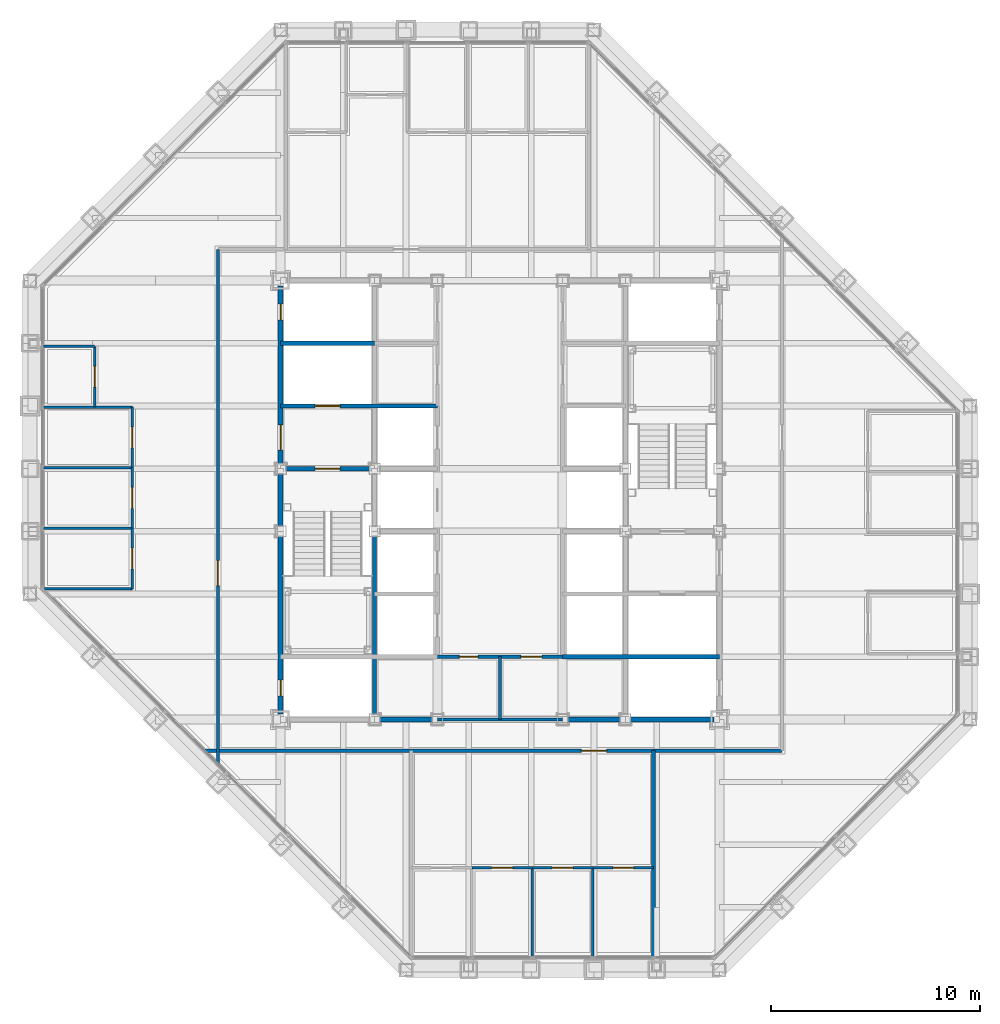
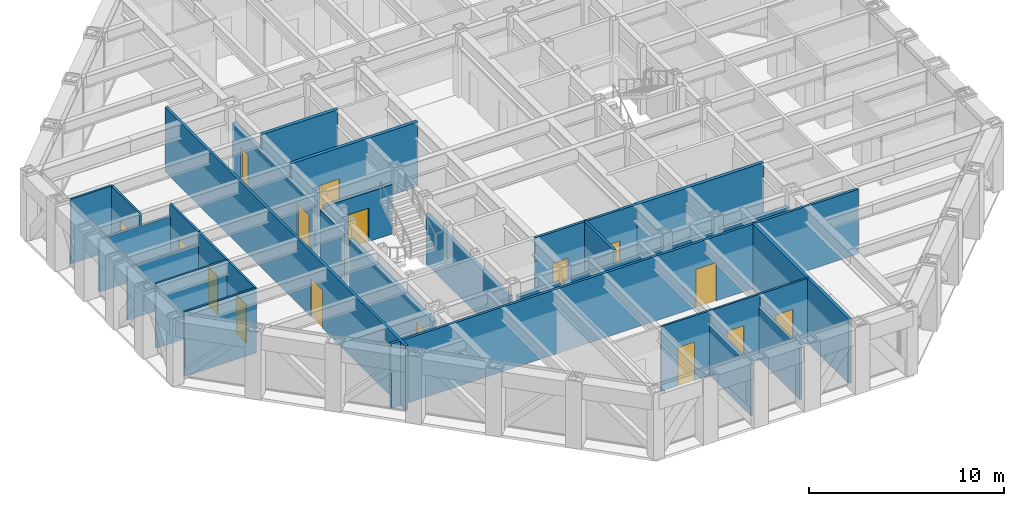
# One storey, part 11 of 16: 31 walls, 16 doors, 16 openings.
"""IFC4 building model written with IfcOpenShell, lengths in metres."""

from ifc_helpers import new_model, si_unit, direction, frame, frame_2d, origin, place, context, subcontext, project, spatial, rectangle, extrude, material, layer, layer_set, type_object, element, fill, save


model = new_model("IFC4")

# Units and contexts
model_context = context("Model", 3, precision=1e-05, world=origin(), true_north=direction((0.0, 1.0)))
body_context = subcontext(model_context, "Body", "Model", "MODEL_VIEW")
ifc_project = project(units=[si_unit("LENGTHUNIT", "METRE"), si_unit("AREAUNIT", "SQUARE_METRE"), si_unit("VOLUMEUNIT", "CUBIC_METRE"), si_unit("PLANEANGLEUNIT", "RADIAN"), si_unit("MASSUNIT", "GRAM", prefix="KILO")], contexts=[model_context])

# Site, building, storey
site_placement = place(None, origin())
site = spatial("IfcSite", under=ifc_project, at=site_placement, CompositionType="ELEMENT")
building_placement = place(site_placement, origin())
building = spatial("IfcBuilding", under=site, at=building_placement, Name="Chuquiago Exchange Tower", CompositionType="ELEMENT")
storey_placement = place(building_placement, frame((0.0, 0.0, 247.5)))
storey = spatial("IfcBuildingStorey", under=building, at=storey_placement, Name="L55", CompositionType="ELEMENT", Elevation=247.5)

# Wall, opening, door
ifc_material_1 = material(Name="Concrete masonry, fully grouted", Category="masonry")
ifc_layer_1 = layer(ifc_material_1, 0.25)
ifc_layer_set_1 = layer_set([ifc_layer_1], Name="W1 core wall 250")
wall_type_1 = type_object("IfcWallType", Name="W1 core wall 250", PredefinedType="SOLIDWALL", material=ifc_layer_set_1)
wall_1_placement = place(storey_placement, frame((12.0, 12.25, 0.0), z_axis=(0.0, 0.0, 1.0), x_axis=(0.0, 1.0, 0.0)))
wall_1 = element("IfcWall", 1, at=wall_1_placement, inside=storey, type_object=wall_type_1, Name="CW-L55-00-0", PredefinedType="SOLIDWALL", context=body_context, shape_type="SweptSolid", body=[
    extrude(rectangle(XDim=8.5, YDim=0.25, at=frame_2d((4.25, 0.0))), origin(), (0.0, 0.0, 1.0), 3.11279296875),
])
opening_1_placement = place(wall_1_placement, frame((0.875, 0.0, 0.0)))
opening_1 = element("IfcOpeningElement", 2, at=opening_1_placement, cuts=wall_1, Name="Opening L55-007", PredefinedType="OPENING", context=body_context, shape_type="SweptSolid", body=[
    extrude(rectangle(XDim=0.75, YDim=2.10009765625, at=frame_2d((0.375, 1.050048828125))), frame((0.0, 0.135009765625, 0.0), z_axis=(0.0, -1.0, 0.0), x_axis=(1.0, 0.0, 0.0)), (0.0, 0.0, 1.0), 0.27001953125),
])
ifc_material_2 = material(Name="Steel door, painted", Category="steel")
door_type_1 = type_object("IfcDoorType", Name="D6 riser access door 750x2100", OperationType="SINGLE_SWING_LEFT", PredefinedType="DOOR", material=ifc_material_2)
door_1_placement = place(opening_1_placement, origin())
door_1 = element("IfcDoor", 3, at=door_1_placement, inside=storey, type_object=door_type_1, Name="Riser RW1 door", OperationType="SINGLE_SWING_LEFT", OverallHeight=2.10009765625, OverallWidth=0.75, PredefinedType="DOOR", context=body_context, shape_type="SweptSolid", body=[
    extrude(rectangle(XDim=0.75, YDim=2.10009765625, at=frame_2d((0.375, 1.050048828125))), frame((0.0, 0.02490234375, 0.0), z_axis=(0.0, -1.0, 0.0), x_axis=(1.0, 0.0, 0.0)), (0.0, 0.0, 1.0), 0.050048828125),
])
fill(opening_1, door_1)

# Wall
wall_2_placement = place(storey_placement, frame((12.0, 21.25, 0.0), z_axis=(0.0, 0.0, 1.0), x_axis=(0.0, 1.0, 0.0)))
element("IfcWall", 4, at=wall_2_placement, inside=storey, type_object=wall_type_1, Name="CW-L55-00-1", PredefinedType="SOLIDWALL", context=body_context, shape_type="SweptSolid", body=[
    extrude(rectangle(XDim=2.5, YDim=0.25, at=frame_2d((1.25, 0.0))), origin(), (0.0, 0.0, 1.0), 3.11279296875),
])

# Wall, openings, doors
wall_3_placement = place(storey_placement, frame((12.0, 24.25, 0.0), z_axis=(0.0, 0.0, 1.0), x_axis=(0.0, 1.0, 0.0)))
wall_3 = element("IfcWall", 5, at=wall_3_placement, inside=storey, type_object=wall_type_1, Name="CW-L55-00-2", PredefinedType="SOLIDWALL", context=body_context, shape_type="SweptSolid", body=[
    extrude(rectangle(XDim=8.5, YDim=0.25, at=frame_2d((4.25, 0.0))), origin(), (0.0, 0.0, 1.0), 3.11279296875),
])
opening_2_placement = place(wall_3_placement, frame((0.64990234375, 0.0, 0.0)))
opening_2 = element("IfcOpeningElement", 6, at=opening_2_placement, cuts=wall_3, Name="Opening L55-002", PredefinedType="OPENING", context=body_context, shape_type="SweptSolid", body=[
    extrude(rectangle(XDim=1.199951171875, YDim=2.10009765625, at=frame_2d((0.60009765625, 1.050048828125))), frame((0.0, 0.135009765625, 0.0), z_axis=(0.0, -1.0, 0.0), x_axis=(1.0, 0.0, 0.0)), (0.0, 0.0, 1.0), 0.27001953125),
])
opening_3_placement = place(wall_3_placement, frame((6.875, 0.0, 0.0)))
opening_3 = element("IfcOpeningElement", 7, at=opening_3_placement, cuts=wall_3, Name="Opening L55-008", PredefinedType="OPENING", context=body_context, shape_type="SweptSolid", body=[
    extrude(rectangle(XDim=0.75, YDim=2.10009765625, at=frame_2d((0.375, 1.050048828125))), frame((0.0, 0.135009765625, 0.0), z_axis=(0.0, -1.0, 0.0), x_axis=(1.0, 0.0, 0.0)), (0.0, 0.0, 1.0), 0.27001953125),
])
ifc_material_3 = material(Name="Steel door, painted", Category="steel")
door_type_2 = type_object("IfcDoorType", Name="D5 firefighting lobby door 1200x2100", OperationType="SINGLE_SWING_LEFT", PredefinedType="DOOR", material=ifc_material_3)
door_2_placement = place(opening_2_placement, frame((1.199951171875, 0.0, 0.0), z_axis=(0.0, 0.0, 1.0), x_axis=(-1.0, 0.0, 0.0)))
door_2 = element("IfcDoor", 8, at=door_2_placement, inside=storey, type_object=door_type_2, Name="Firefighting lobby 1 door", OperationType="SINGLE_SWING_RIGHT", OverallHeight=2.10009765625, OverallWidth=1.199951171875, PredefinedType="DOOR", context=body_context, shape_type="SweptSolid", body=[
    extrude(rectangle(XDim=1.199951171875, YDim=2.10009765625, at=frame_2d((0.60009765625, 1.050048828125))), frame((0.0, 0.02490234375, 0.0), z_axis=(0.0, -1.0, 0.0), x_axis=(1.0, 0.0, 0.0)), (0.0, 0.0, 1.0), 0.050048828125),
])
fill(opening_2, door_2)
door_3_placement = place(opening_3_placement, origin())
door_3 = element("IfcDoor", 9, at=door_3_placement, inside=storey, type_object=door_type_1, Name="Riser RW2 door", OperationType="SINGLE_SWING_RIGHT", OverallHeight=2.10009765625, OverallWidth=0.75, PredefinedType="DOOR", context=body_context, shape_type="SweptSolid", body=[
    extrude(rectangle(XDim=0.75, YDim=2.10009765625, at=frame_2d((0.375, 1.050048828125))), frame((0.0, 0.02490234375, 0.0), z_axis=(0.0, -1.0, 0.0), x_axis=(1.0, 0.0, 0.0)), (0.0, 0.0, 1.0), 0.050048828125),
])
fill(opening_3, door_3)

# Walls
for number, where, z_axis, x_axis, name in (
    (10, (16.75, 12.0, 0.0), (0.0, 0.0, 1.0), (1.0, 0.0, 0.0), "CW-L55-01-1"),
    (11, (25.75, 12.0, 0.0), (0.0, 0.0, 1.0), (1.0, 0.0, 0.0), "CW-L55-02-0"),
):
    element("IfcWall", number, at=place(storey_placement, frame(where, z_axis=z_axis, x_axis=x_axis)), inside=storey, type_object=wall_type_1, Name=name, PredefinedType="SOLIDWALL", context=body_context, shape_type="SweptSolid", body=[
        extrude(rectangle(XDim=2.5, YDim=0.25, at=frame_2d((1.25, 0.0))), origin(), (0.0, 0.0, 1.0), 3.181396484375),
    ])
wall_4_placement = place(storey_placement, frame((28.75, 12.0, 0.0), z_axis=(0.0, 0.0, 1.0), x_axis=(1.0, 0.0, 0.0)))
element("IfcWall", 12, at=wall_4_placement, inside=storey, type_object=wall_type_1, Name="CW-L55-02-1", PredefinedType="SOLIDWALL", context=body_context, shape_type="SweptSolid", body=[
    extrude(rectangle(XDim=4.0, YDim=0.25, at=frame_2d((2.0, 0.0))), origin(), (0.0, 0.0, 1.0), 3.181396484375),
])

# Wall, opening, door
ifc_material_4 = material(Name="Gypsum board on steel studs, acoustic insulation", Category="steel")
ifc_layer_2 = layer(ifc_material_4, 0.14990234375)
ifc_layer_set_2 = layer_set([ifc_layer_2], Name="W11 corridor wall 150")
wall_type_2 = type_object("IfcWallType", Name="W11 corridor wall 150", PredefinedType="PARTITIONING", material=ifc_layer_set_2)
wall_5_placement = place(storey_placement, frame((8.385498046875, 10.5, 0.0), z_axis=(0.0, 0.0, 1.0), x_axis=(1.0, 0.0, 0.0)))
wall_5 = element("IfcWall", 13, at=wall_5_placement, inside=storey, type_object=wall_type_2, Name="PW-L55-CS", PredefinedType="PARTITIONING", context=body_context, shape_type="SweptSolid", body=[
    extrude(rectangle(XDim=27.614501953125, YDim=0.14990234375, at=frame_2d((13.80712890625, 0.0))), origin(), (0.0, 0.0, 1.0), 4.0400390625),
])
opening_4_placement = place(wall_5_placement, frame((18.014404296875, 0.0, 0.0)))
opening_4 = element("IfcOpeningElement", 14, at=opening_4_placement, cuts=wall_5, Name="Opening L55-037", PredefinedType="OPENING", context=body_context, shape_type="SweptSolid", body=[
    extrude(rectangle(XDim=1.199951171875, YDim=2.39990234375, at=frame_2d((0.60009765625, 1.199951171875))), frame((0.0, 0.0849609375, 0.0), z_axis=(0.0, -1.0, 0.0), x_axis=(1.0, 0.0, 0.0)), (0.0, 0.0, 1.0), 0.169921875),
])
ifc_material_5 = material(Name="Timber door, laminate faced", Category="wood")
door_type_3 = type_object("IfcDoorType", Name="D13 suite entrance door 1200x2400", OperationType="SINGLE_SWING_LEFT", PredefinedType="DOOR", material=ifc_material_5)
door_4_placement = place(opening_4_placement, frame((1.199951171875, 0.0, 0.0), z_axis=(0.0, 0.0, 1.0), x_axis=(-1.0, 0.0, 0.0)))
door_4 = element("IfcDoor", 15, at=door_4_placement, inside=storey, type_object=door_type_3, Name="South suite entrance door", OperationType="SINGLE_SWING_LEFT", OverallHeight=2.39990234375, OverallWidth=1.199951171875, PredefinedType="DOOR", context=body_context, shape_type="SweptSolid", body=[
    extrude(rectangle(XDim=1.199951171875, YDim=2.39990234375, at=frame_2d((0.60009765625, 1.199951171875))), frame((0.0, 0.02490234375, 0.0), z_axis=(0.0, -1.0, 0.0), x_axis=(1.0, 0.0, 0.0)), (0.0, 0.0, 1.0), 0.050048828125),
])
fill(opening_4, door_4)

wall_6_placement = place(storey_placement, frame((9.0, 9.885498046875, 0.0), z_axis=(0.0, 0.0, 1.0), x_axis=(0.0, 1.0, 0.0)))
wall_6 = element("IfcWall", 16, at=wall_6_placement, inside=storey, type_object=wall_type_2, Name="PW-L55-CW", PredefinedType="PARTITIONING", context=body_context, shape_type="SweptSolid", body=[
    extrude(rectangle(XDim=24.614501953125, YDim=0.14990234375, at=frame_2d((12.30712890625, 0.0))), origin(), (0.0, 0.0, 1.0), 4.0400390625),
])
opening_5_placement = place(wall_6_placement, frame((8.514404296875, 0.0, 0.0)))
opening_5 = element("IfcOpeningElement", 17, at=opening_5_placement, cuts=wall_6, Name="Opening L55-039", PredefinedType="OPENING", context=body_context, shape_type="SweptSolid", body=[
    extrude(rectangle(XDim=1.199951171875, YDim=2.39990234375, at=frame_2d((0.60009765625, 1.199951171875))), frame((0.0, 0.0849609375, 0.0), z_axis=(0.0, -1.0, 0.0), x_axis=(1.0, 0.0, 0.0)), (0.0, 0.0, 1.0), 0.169921875),
])
door_5_placement = place(opening_5_placement, origin())
door_5 = element("IfcDoor", 18, at=door_5_placement, inside=storey, type_object=door_type_3, Name="West suite entrance door", OperationType="SINGLE_SWING_LEFT", OverallHeight=2.39990234375, OverallWidth=1.199951171875, PredefinedType="DOOR", context=body_context, shape_type="SweptSolid", body=[
    extrude(rectangle(XDim=1.199951171875, YDim=2.39990234375, at=frame_2d((0.60009765625, 1.199951171875))), frame((0.0, 0.02490234375, 0.0), z_axis=(0.0, -1.0, 0.0), x_axis=(1.0, 0.0, 0.0)), (0.0, 0.0, 1.0), 0.050048828125),
])
fill(opening_5, door_5)

# Walls
ifc_material_6 = material(Name="Gypsum board on twin steel studs, acoustic insulation", Category="steel")
ifc_layer_3 = layer(ifc_material_6, 0.175048828125)
ifc_layer_set_3 = layer_set([ifc_layer_3], Name="W12 tenant demising wall 175")
wall_type_3 = type_object("IfcWallType", Name="W12 tenant demising wall 175", PredefinedType="PARTITIONING", material=ifc_layer_set_3)
wall_7_placement = place(storey_placement, frame((29.850830078125, 0.652587890625, 0.0), z_axis=(0.0, 0.0, 1.0), x_axis=(0.0, 1.0, 0.0)))
element("IfcWall", 19, at=wall_7_placement, inside=storey, type_object=wall_type_3, Name="PW-L55-DS02985", PredefinedType="PARTITIONING", context=body_context, shape_type="SweptSolid", body=[
    extrude(rectangle(XDim=9.847412109375, YDim=0.175048828125, at=frame_2d((4.923828125, 0.0))), origin(), (0.0, 0.0, 1.0), 4.0400390625),
])
ifc_material_7 = material(Name="Concrete masonry, fully grouted", Category="masonry")
ifc_layer_4 = layer(ifc_material_7, 0.199951171875)
ifc_layer_set_4 = layer_set([ifc_layer_4], Name="W2 shaft wall 200")
wall_type_4 = type_object("IfcWallType", Name="W2 shaft wall 200", PredefinedType="SOLIDWALL", material=ifc_layer_set_4)
wall_8_placement = place(storey_placement, frame((25.5, 15.0, 0.0), z_axis=(0.0, 0.0, 1.0), x_axis=(1.0, 0.0, 0.0)))
element("IfcWall", 20, at=wall_8_placement, inside=storey, type_object=wall_type_4, Name="CW-L55-04-0", PredefinedType="SOLIDWALL", context=body_context, shape_type="SweptSolid", body=[
    extrude(rectangle(XDim=7.5, YDim=0.199951171875, at=frame_2d((3.75, 0.0))), origin(), (0.0, 0.0, 1.0), 4.0400390625),
])

# Wall, opening, door
wall_9_placement = place(storey_placement, frame((12.25, 24.0, 0.0), z_axis=(0.0, 0.0, 1.0), x_axis=(1.0, 0.0, 0.0)))
wall_9 = element("IfcWall", 21, at=wall_9_placement, inside=storey, type_object=wall_type_4, Name="CW-L55-05-0", PredefinedType="SOLIDWALL", context=body_context, shape_type="SweptSolid", body=[
    extrude(rectangle(XDim=4.0, YDim=0.199951171875, at=frame_2d((2.0, 0.0))), origin(), (0.0, 0.0, 1.0), 3.090087890625),
])
opening_6_placement = place(wall_9_placement, frame((1.39990234375, 0.0, 0.0)))
opening_6 = element("IfcOpeningElement", 22, at=opening_6_placement, cuts=wall_9, Name="Opening L55-001", PredefinedType="OPENING", context=body_context, shape_type="SweptSolid", body=[
    extrude(rectangle(XDim=1.199951171875, YDim=2.10009765625, at=frame_2d((0.60009765625, 1.050048828125))), frame((0.0, 0.10986328125, 0.0), z_axis=(0.0, -1.0, 0.0), x_axis=(1.0, 0.0, 0.0)), (0.0, 0.0, 1.0), 0.219970703125),
])
ifc_material_8 = material(Name="Steel door, painted", Category="steel")
door_type_4 = type_object("IfcDoorType", Name="D4 stair door 1200x2100", OperationType="SINGLE_SWING_LEFT", PredefinedType="DOOR", material=ifc_material_8)
door_6_placement = place(opening_6_placement, frame((1.199951171875, 0.0, 0.0), z_axis=(0.0, 0.0, 1.0), x_axis=(-1.0, 0.0, 0.0)))
door_6 = element("IfcDoor", 23, at=door_6_placement, inside=storey, type_object=door_type_4, Name="Stair ST1 door", OperationType="SINGLE_SWING_RIGHT", OverallHeight=2.10009765625, OverallWidth=1.199951171875, PredefinedType="DOOR", context=body_context, shape_type="SweptSolid", body=[
    extrude(rectangle(XDim=1.199951171875, YDim=2.10009765625, at=frame_2d((0.60009765625, 1.050048828125))), frame((0.0, 0.02490234375, 0.0), z_axis=(0.0, -1.0, 0.0), x_axis=(1.0, 0.0, 0.0)), (0.0, 0.0, 1.0), 0.050048828125),
])
fill(opening_6, door_6)

wall_10_placement = place(storey_placement, frame((12.0, 27.0, 0.0), z_axis=(0.0, 0.0, 1.0), x_axis=(1.0, 0.0, 0.0)))
wall_10 = element("IfcWall", 24, at=wall_10_placement, inside=storey, type_object=wall_type_4, Name="CW-L55-07-0", PredefinedType="SOLIDWALL", context=body_context, shape_type="SweptSolid", body=[
    extrude(rectangle(XDim=7.5, YDim=0.199951171875, at=frame_2d((3.75, 0.0))), origin(), (0.0, 0.0, 1.0), 4.0400390625),
])
opening_7_placement = place(wall_10_placement, frame((1.64990234375, 0.0, 0.0)))
opening_7 = element("IfcOpeningElement", 25, at=opening_7_placement, cuts=wall_10, Name="Opening L55-005", PredefinedType="OPENING", context=body_context, shape_type="SweptSolid", body=[
    extrude(rectangle(XDim=1.199951171875, YDim=2.10009765625, at=frame_2d((0.60009765625, 1.050048828125))), frame((0.0, 0.10986328125, 0.0), z_axis=(0.0, -1.0, 0.0), x_axis=(1.0, 0.0, 0.0)), (0.0, 0.0, 1.0), 0.219970703125),
])
ifc_material_9 = material(Name="Stainless steel lift landing door", Category="steel")
door_type_5 = type_object("IfcDoorType", Name="LD2 firefighting lift landing door 1200x2100", OperationType="DOUBLE_DOOR_SLIDING", PredefinedType="DOOR", material=ifc_material_9)
door_7_placement = place(opening_7_placement, origin())
door_7 = element("IfcDoor", 26, at=door_7_placement, inside=storey, type_object=door_type_5, Name="Firefighting lift FL1 landing door", OperationType="DOUBLE_DOOR_SLIDING", OverallHeight=2.10009765625, OverallWidth=1.199951171875, PredefinedType="DOOR", context=body_context, shape_type="SweptSolid", body=[
    extrude(rectangle(XDim=1.199951171875, YDim=2.10009765625, at=frame_2d((0.60009765625, 1.050048828125))), frame((0.0, 0.02490234375, 0.0), z_axis=(0.0, -1.0, 0.0), x_axis=(1.0, 0.0, 0.0)), (0.0, 0.0, 1.0), 0.050048828125),
])
fill(opening_7, door_7)

# Walls
wall_11_placement = place(storey_placement, frame((12.0, 30.0, 0.0), z_axis=(0.0, 0.0, 1.0), x_axis=(1.0, 0.0, 0.0)))
element("IfcWall", 27, at=wall_11_placement, inside=storey, type_object=wall_type_4, Name="CW-L55-09-0", PredefinedType="SOLIDWALL", context=body_context, shape_type="SweptSolid", body=[
    extrude(rectangle(XDim=4.5, YDim=0.199951171875, at=frame_2d((2.25, 0.0))), origin(), (0.0, 0.0, 1.0), 4.0400390625),
])
wall_12_placement = place(storey_placement, frame((16.5, 12.25, 0.0), z_axis=(0.0, 0.0, 1.0), x_axis=(0.0, 1.0, 0.0)))
element("IfcWall", 28, at=wall_12_placement, inside=storey, type_object=wall_type_4, Name="CW-L55-13-0", PredefinedType="SOLIDWALL", context=body_context, shape_type="SweptSolid", body=[
    extrude(rectangle(XDim=8.5, YDim=0.199951171875, at=frame_2d((4.25, 0.0))), origin(), (0.0, 0.0, 1.0), 3.11279296875),
])

# Wall, openings, doors
ifc_material_10 = material(Name="Gypsum board on steel studs", Category="steel")
ifc_layer_5 = layer(ifc_material_10, 0.14990234375)
ifc_layer_set_5 = layer_set([ifc_layer_5], Name="W3 core partition 150")
wall_type_5 = type_object("IfcWallType", Name="W3 core partition 150", PredefinedType="PARTITIONING", material=ifc_layer_set_5)
wall_13_placement = place(storey_placement, frame((19.5, 15.0, 0.0), z_axis=(0.0, 0.0, 1.0), x_axis=(1.0, 0.0, 0.0)))
wall_13 = element("IfcWall", 29, at=wall_13_placement, inside=storey, type_object=wall_type_5, Name="CW-L55-TF", PredefinedType="PARTITIONING", context=body_context, shape_type="SweptSolid", body=[
    extrude(rectangle(XDim=6.0, YDim=0.14990234375, at=frame_2d((3.0, 0.0))), origin(), (0.0, 0.0, 1.0), 4.0400390625),
])
opening_8_placement = place(wall_13_placement, frame((4.0, 0.0, 0.0)))
opening_8 = element("IfcOpeningElement", 30, at=opening_8_placement, cuts=wall_13, Name="Opening L55-015", PredefinedType="OPENING", context=body_context, shape_type="SweptSolid", body=[
    extrude(rectangle(XDim=1.0, YDim=2.10009765625, at=frame_2d((0.5, 1.050048828125))), frame((0.0, 0.0849609375, 0.0), z_axis=(0.0, -1.0, 0.0), x_axis=(1.0, 0.0, 0.0)), (0.0, 0.0, 1.0), 0.169921875),
])
opening_9_placement = place(wall_13_placement, frame((1.050048828125, 0.0, 0.0)))
opening_9 = element("IfcOpeningElement", 31, at=opening_9_placement, cuts=wall_13, Name="Opening L55-016", PredefinedType="OPENING", context=body_context, shape_type="SweptSolid", body=[
    extrude(rectangle(XDim=0.89990234375, YDim=2.10009765625, at=frame_2d((0.449951171875, 1.050048828125))), frame((0.0, 0.0849609375, 0.0), z_axis=(0.0, -1.0, 0.0), x_axis=(1.0, 0.0, 0.0)), (0.0, 0.0, 1.0), 0.169921875),
])
ifc_material_11 = material(Name="Timber door, laminate faced", Category="wood")
door_type_6 = type_object("IfcDoorType", Name="D7 toilet door 900x2100", OperationType="SINGLE_SWING_LEFT", PredefinedType="DOOR", material=ifc_material_11)
door_8_placement = place(opening_9_placement, origin())
door_8 = element("IfcDoor", 32, at=door_8_placement, inside=storey, type_object=door_type_6, Name="Cleaner door", OperationType="SINGLE_SWING_LEFT", OverallHeight=2.10009765625, OverallWidth=0.89990234375, PredefinedType="DOOR", context=body_context, shape_type="SweptSolid", body=[
    extrude(rectangle(XDim=0.89990234375, YDim=2.10009765625, at=frame_2d((0.449951171875, 1.050048828125))), frame((0.0, 0.02490234375, 0.0), z_axis=(0.0, -1.0, 0.0), x_axis=(1.0, 0.0, 0.0)), (0.0, 0.0, 1.0), 0.050048828125),
])
fill(opening_9, door_8)
ifc_material_12 = material(Name="Timber door, laminate faced", Category="wood")
door_type_7 = type_object("IfcDoorType", Name="D8 accessible toilet door 1000x2100", OperationType="SLIDING_TO_LEFT", PredefinedType="DOOR", material=ifc_material_12)
door_9_placement = place(opening_8_placement, origin())
door_9 = element("IfcDoor", 33, at=door_9_placement, inside=storey, type_object=door_type_7, Name="Accessible WC door", OperationType="SLIDING_TO_LEFT", OverallHeight=2.10009765625, OverallWidth=1.0, PredefinedType="DOOR", context=body_context, shape_type="SweptSolid", body=[
    extrude(rectangle(XDim=1.0, YDim=2.10009765625, at=frame_2d((0.5, 1.050048828125))), frame((0.0, 0.02490234375, 0.0), z_axis=(0.0, -1.0, 0.0), x_axis=(1.0, 0.0, 0.0)), (0.0, 0.0, 1.0), 0.050048828125),
])
fill(opening_8, door_9)

# Walls
wall_14_placement = place(storey_placement, frame((22.5, 15.0, 0.0), z_axis=(0.0, 0.0, 1.0), x_axis=(0.0, -1.0, 0.0)))
element("IfcWall", 34, at=wall_14_placement, inside=storey, type_object=wall_type_5, Name="CW-L55-TM", PredefinedType="PARTITIONING", context=body_context, shape_type="SweptSolid", body=[
    extrude(rectangle(XDim=3.0, YDim=0.14990234375, at=frame_2d((1.5, 0.0))), origin(), (0.0, 0.0, 1.0), 4.0400390625),
])
wall_15_placement = place(storey_placement, frame((19.5, 12.0, 0.0), z_axis=(0.0, 0.0, 1.0), x_axis=(1.0, 0.0, 0.0)))
element("IfcWall", 35, at=wall_15_placement, inside=storey, type_object=wall_type_5, Name="CW-L55-TB", PredefinedType="PARTITIONING", context=body_context, shape_type="SweptSolid", body=[
    extrude(rectangle(XDim=6.0, YDim=0.14990234375, at=frame_2d((3.0, 0.0))), origin(), (0.0, 0.0, 1.0), 3.181396484375),
])
ifc_material_13 = material(Name="Gypsum board on steel studs", Category="steel")
ifc_layer_6 = layer(ifc_material_13, 0.1201171875)
ifc_layer_set_6 = layer_set([ifc_layer_6], Name="W4 partition 120")
wall_type_6 = type_object("IfcWallType", Name="W4 partition 120", PredefinedType="PARTITIONING", material=ifc_layer_set_6)
for number, where, z_axis, x_axis, name in (
    (36, (24.0498046875, 0.652587890625, 0.0), (0.0, 0.0, 1.0), (0.0, 1.0, 0.0), "PW-L55-S02405"),
    (37, (26.9501953125, 0.652587890625, 0.0), (0.0, 0.0, 1.0), (0.0, 1.0, 0.0), "PW-L55-S02695"),
):
    element("IfcWall", number, at=place(storey_placement, frame(where, z_axis=z_axis, x_axis=x_axis)), inside=storey, type_object=wall_type_6, Name=name, PredefinedType="PARTITIONING", context=body_context, shape_type="SweptSolid", body=[
        extrude(rectangle(XDim=4.247314453125, YDim=0.1201171875, at=frame_2d((2.12353515625, 0.0))), origin(), (0.0, 0.0, 1.0), 3.278076171875),
    ])

# Wall, opening, door
wall_16_placement = place(storey_placement, frame((21.149169921875, 4.89990234375, 0.0), z_axis=(0.0, 0.0, 1.0), x_axis=(1.0, 0.0, 0.0)))
wall_16 = element("IfcWall", 38, at=wall_16_placement, inside=storey, type_object=wall_type_6, Name="PW-L55-SF02115", PredefinedType="PARTITIONING", context=body_context, shape_type="SweptSolid", body=[
    extrude(rectangle(XDim=2.900634765625, YDim=0.1201171875, at=frame_2d((1.4501953125, 0.0))), origin(), (0.0, 0.0, 1.0), 4.0400390625),
])
opening_10_placement = place(wall_16_placement, frame((0.9501953125, 0.0, 0.0)))
opening_10 = element("IfcOpeningElement", 39, at=opening_10_placement, cuts=wall_16, Name="Opening L55-022", PredefinedType="OPENING", context=body_context, shape_type="SweptSolid", body=[
    extrude(rectangle(XDim=1.0, YDim=2.39990234375, at=frame_2d((0.5, 1.199951171875))), frame((0.0, 0.070068359375, 0.0), z_axis=(0.0, -1.0, 0.0), x_axis=(1.0, 0.0, 0.0)), (0.0, 0.0, 1.0), 0.14013671875),
])
ifc_material_14 = material(Name="Timber door, laminate faced", Category="wood")
door_type_8 = type_object("IfcDoorType", Name="D9 room door 1000x2400", OperationType="SINGLE_SWING_LEFT", PredefinedType="DOOR", material=ifc_material_14)
door_10_placement = place(opening_10_placement, frame((1.0, 0.0, 0.0), z_axis=(0.0, 0.0, 1.0), x_axis=(-1.0, 0.0, 0.0)))
door_10 = element("IfcDoor", 40, at=door_10_placement, inside=storey, type_object=door_type_8, Name="Office door", OperationType="SINGLE_SWING_RIGHT", OverallHeight=2.39990234375, OverallWidth=1.0, PredefinedType="DOOR", context=body_context, shape_type="SweptSolid", body=[
    extrude(rectangle(XDim=1.0, YDim=2.39990234375, at=frame_2d((0.5, 1.199951171875))), frame((0.0, 0.02490234375, 0.0), z_axis=(0.0, -1.0, 0.0), x_axis=(1.0, 0.0, 0.0)), (0.0, 0.0, 1.0), 0.050048828125),
])
fill(opening_10, door_10)

wall_17_placement = place(storey_placement, frame((24.0498046875, 4.89990234375, 0.0), z_axis=(0.0, 0.0, 1.0), x_axis=(1.0, 0.0, 0.0)))
wall_17 = element("IfcWall", 41, at=wall_17_placement, inside=storey, type_object=wall_type_6, Name="PW-L55-SF02405", PredefinedType="PARTITIONING", context=body_context, shape_type="SweptSolid", body=[
    extrude(rectangle(XDim=2.900390625, YDim=0.1201171875, at=frame_2d((1.4501953125, 0.0))), origin(), (0.0, 0.0, 1.0), 4.0400390625),
])
opening_11_placement = place(wall_17_placement, frame((0.9501953125, 0.0, 0.0)))
opening_11 = element("IfcOpeningElement", 42, at=opening_11_placement, cuts=wall_17, Name="Opening L55-023", PredefinedType="OPENING", context=body_context, shape_type="SweptSolid", body=[
    extrude(rectangle(XDim=1.0, YDim=2.39990234375, at=frame_2d((0.5, 1.199951171875))), frame((0.0, 0.070068359375, 0.0), z_axis=(0.0, -1.0, 0.0), x_axis=(1.0, 0.0, 0.0)), (0.0, 0.0, 1.0), 0.14013671875),
])
door_11_placement = place(opening_11_placement, frame((1.0, 0.0, 0.0), z_axis=(0.0, 0.0, 1.0), x_axis=(-1.0, 0.0, 0.0)))
door_11 = element("IfcDoor", 43, at=door_11_placement, inside=storey, type_object=door_type_8, Name="Office door", OperationType="SINGLE_SWING_LEFT", OverallHeight=2.39990234375, OverallWidth=1.0, PredefinedType="DOOR", context=body_context, shape_type="SweptSolid", body=[
    extrude(rectangle(XDim=1.0, YDim=2.39990234375, at=frame_2d((0.5, 1.199951171875))), frame((0.0, 0.02490234375, 0.0), z_axis=(0.0, -1.0, 0.0), x_axis=(1.0, 0.0, 0.0)), (0.0, 0.0, 1.0), 0.050048828125),
])
fill(opening_11, door_11)

wall_18_placement = place(storey_placement, frame((26.9501953125, 4.89990234375, 0.0), z_axis=(0.0, 0.0, 1.0), x_axis=(1.0, 0.0, 0.0)))
wall_18 = element("IfcWall", 44, at=wall_18_placement, inside=storey, type_object=wall_type_6, Name="PW-L55-SF02695", PredefinedType="PARTITIONING", context=body_context, shape_type="SweptSolid", body=[
    extrude(rectangle(XDim=2.900634765625, YDim=0.1201171875, at=frame_2d((1.4501953125, 0.0))), origin(), (0.0, 0.0, 1.0), 4.0400390625),
])
opening_12_placement = place(wall_18_placement, frame((0.9501953125, 0.0, 0.0)))
opening_12 = element("IfcOpeningElement", 45, at=opening_12_placement, cuts=wall_18, Name="Opening L55-024", PredefinedType="OPENING", context=body_context, shape_type="SweptSolid", body=[
    extrude(rectangle(XDim=1.0, YDim=2.39990234375, at=frame_2d((0.5, 1.199951171875))), frame((0.0, 0.070068359375, 0.0), z_axis=(0.0, -1.0, 0.0), x_axis=(1.0, 0.0, 0.0)), (0.0, 0.0, 1.0), 0.14013671875),
])
door_12_placement = place(opening_12_placement, frame((1.0, 0.0, 0.0), z_axis=(0.0, 0.0, 1.0), x_axis=(-1.0, 0.0, 0.0)))
door_12 = element("IfcDoor", 46, at=door_12_placement, inside=storey, type_object=door_type_8, Name="Office door", OperationType="SINGLE_SWING_LEFT", OverallHeight=2.39990234375, OverallWidth=1.0, PredefinedType="DOOR", context=body_context, shape_type="SweptSolid", body=[
    extrude(rectangle(XDim=1.0, YDim=2.39990234375, at=frame_2d((0.5, 1.199951171875))), frame((0.0, 0.02490234375, 0.0), z_axis=(0.0, -1.0, 0.0), x_axis=(1.0, 0.0, 0.0)), (0.0, 0.0, 1.0), 0.050048828125),
])
fill(opening_12, door_12)

# Walls
wall_19_placement = place(storey_placement, frame((0.666015625, 18.24853515625, 0.0), z_axis=(0.0, 0.0, 1.0), x_axis=(1.0, 0.0, 0.0)))
element("IfcWall", 47, at=wall_19_placement, inside=storey, type_object=wall_type_6, Name="PW-L55-W01825", PredefinedType="PARTITIONING", context=body_context, shape_type="SweptSolid", body=[
    extrude(rectangle(XDim=4.23388671875, YDim=0.1201171875, at=frame_2d((2.116943359375, 0.0))), origin(), (0.0, 0.0, 1.0), 4.0400390625),
])
wall_20_placement = place(storey_placement, frame((0.652587890625, 21.149169921875, 0.0), z_axis=(0.0, 0.0, 1.0), x_axis=(1.0, 0.0, 0.0)))
element("IfcWall", 48, at=wall_20_placement, inside=storey, type_object=wall_type_6, Name="PW-L55-W02115", PredefinedType="PARTITIONING", context=body_context, shape_type="SweptSolid", body=[
    extrude(rectangle(XDim=4.247314453125, YDim=0.1201171875, at=frame_2d((2.12353515625, 0.0))), origin(), (0.0, 0.0, 1.0), 4.0400390625),
])
for number, where, z_axis, x_axis, name in (
    (49, (0.652587890625, 24.0498046875, 0.0), (0.0, 0.0, 1.0), (1.0, 0.0, 0.0), "PW-L55-W02405"),
    (50, (0.652587890625, 26.9501953125, 0.0), (0.0, 0.0, 1.0), (1.0, 0.0, 0.0), "PW-L55-W02695"),
):
    element("IfcWall", number, at=place(storey_placement, frame(where, z_axis=z_axis, x_axis=x_axis)), inside=storey, type_object=wall_type_6, Name=name, PredefinedType="PARTITIONING", context=body_context, shape_type="SweptSolid", body=[
        extrude(rectangle(XDim=4.247314453125, YDim=0.1201171875, at=frame_2d((2.12353515625, 0.0))), origin(), (0.0, 0.0, 1.0), 3.278076171875),
    ])
wall_21_placement = place(storey_placement, frame((0.652587890625, 29.850830078125, 0.0), z_axis=(0.0, 0.0, 1.0), x_axis=(1.0, 0.0, 0.0)))
element("IfcWall", 51, at=wall_21_placement, inside=storey, type_object=wall_type_6, Name="PW-L55-W02985", PredefinedType="PARTITIONING", context=body_context, shape_type="SweptSolid", body=[
    extrude(rectangle(XDim=2.447509765625, YDim=0.1201171875, at=frame_2d((1.2236328125, 0.0))), origin(), (0.0, 0.0, 1.0), 4.0400390625),
])

# Wall, opening, door
wall_22_placement = place(storey_placement, frame((4.89990234375, 18.24853515625, 0.0), z_axis=(0.0, 0.0, 1.0), x_axis=(0.0, 1.0, 0.0)))
wall_22 = element("IfcWall", 52, at=wall_22_placement, inside=storey, type_object=wall_type_6, Name="PW-L55-WF01825", PredefinedType="PARTITIONING", context=body_context, shape_type="SweptSolid", body=[
    extrude(rectangle(XDim=2.900634765625, YDim=0.1201171875, at=frame_2d((1.4501953125, 0.0))), origin(), (0.0, 0.0, 1.0), 4.0400390625),
])
opening_13_placement = place(wall_22_placement, frame((0.9501953125, 0.0, 0.0)))
opening_13 = element("IfcOpeningElement", 53, at=opening_13_placement, cuts=wall_22, Name="Opening L55-033", PredefinedType="OPENING", context=body_context, shape_type="SweptSolid", body=[
    extrude(rectangle(XDim=1.0, YDim=2.39990234375, at=frame_2d((0.5, 1.199951171875))), frame((0.0, 0.070068359375, 0.0), z_axis=(0.0, -1.0, 0.0), x_axis=(1.0, 0.0, 0.0)), (0.0, 0.0, 1.0), 0.14013671875),
])
door_13_placement = place(opening_13_placement, origin())
door_13 = element("IfcDoor", 54, at=door_13_placement, inside=storey, type_object=door_type_8, Name="Office door", OperationType="SINGLE_SWING_LEFT", OverallHeight=2.39990234375, OverallWidth=1.0, PredefinedType="DOOR", context=body_context, shape_type="SweptSolid", body=[
    extrude(rectangle(XDim=1.0, YDim=2.39990234375, at=frame_2d((0.5, 1.199951171875))), frame((0.0, 0.02490234375, 0.0), z_axis=(0.0, -1.0, 0.0), x_axis=(1.0, 0.0, 0.0)), (0.0, 0.0, 1.0), 0.050048828125),
])
fill(opening_13, door_13)

wall_23_placement = place(storey_placement, frame((4.89990234375, 21.149169921875, 0.0), z_axis=(0.0, 0.0, 1.0), x_axis=(0.0, 1.0, 0.0)))
wall_23 = element("IfcWall", 55, at=wall_23_placement, inside=storey, type_object=wall_type_6, Name="PW-L55-WF02115", PredefinedType="PARTITIONING", context=body_context, shape_type="SweptSolid", body=[
    extrude(rectangle(XDim=2.900634765625, YDim=0.1201171875, at=frame_2d((1.4501953125, 0.0))), origin(), (0.0, 0.0, 1.0), 4.0400390625),
])
opening_14_placement = place(wall_23_placement, frame((0.9501953125, 0.0, 0.0)))
opening_14 = element("IfcOpeningElement", 56, at=opening_14_placement, cuts=wall_23, Name="Opening L55-034", PredefinedType="OPENING", context=body_context, shape_type="SweptSolid", body=[
    extrude(rectangle(XDim=1.0, YDim=2.39990234375, at=frame_2d((0.5, 1.199951171875))), frame((0.0, 0.070068359375, 0.0), z_axis=(0.0, -1.0, 0.0), x_axis=(1.0, 0.0, 0.0)), (0.0, 0.0, 1.0), 0.14013671875),
])
door_14_placement = place(opening_14_placement, origin())
door_14 = element("IfcDoor", 57, at=door_14_placement, inside=storey, type_object=door_type_8, Name="Office door", OperationType="SINGLE_SWING_LEFT", OverallHeight=2.39990234375, OverallWidth=1.0, PredefinedType="DOOR", context=body_context, shape_type="SweptSolid", body=[
    extrude(rectangle(XDim=1.0, YDim=2.39990234375, at=frame_2d((0.5, 1.199951171875))), frame((0.0, 0.02490234375, 0.0), z_axis=(0.0, -1.0, 0.0), x_axis=(1.0, 0.0, 0.0)), (0.0, 0.0, 1.0), 0.050048828125),
])
fill(opening_14, door_14)

wall_24_placement = place(storey_placement, frame((4.89990234375, 24.0498046875, 0.0), z_axis=(0.0, 0.0, 1.0), x_axis=(0.0, 1.0, 0.0)))
wall_24 = element("IfcWall", 58, at=wall_24_placement, inside=storey, type_object=wall_type_6, Name="PW-L55-WF02405", PredefinedType="PARTITIONING", context=body_context, shape_type="SweptSolid", body=[
    extrude(rectangle(XDim=2.900390625, YDim=0.1201171875, at=frame_2d((1.4501953125, 0.0))), origin(), (0.0, 0.0, 1.0), 4.0400390625),
])
opening_15_placement = place(wall_24_placement, frame((0.9501953125, 0.0, 0.0)))
opening_15 = element("IfcOpeningElement", 59, at=opening_15_placement, cuts=wall_24, Name="Opening L55-035", PredefinedType="OPENING", context=body_context, shape_type="SweptSolid", body=[
    extrude(rectangle(XDim=1.0, YDim=2.39990234375, at=frame_2d((0.5, 1.199951171875))), frame((0.0, 0.070068359375, 0.0), z_axis=(0.0, -1.0, 0.0), x_axis=(1.0, 0.0, 0.0)), (0.0, 0.0, 1.0), 0.14013671875),
])
door_15_placement = place(opening_15_placement, origin())
door_15 = element("IfcDoor", 60, at=door_15_placement, inside=storey, type_object=door_type_8, Name="Reception door", OperationType="SINGLE_SWING_RIGHT", OverallHeight=2.39990234375, OverallWidth=1.0, PredefinedType="DOOR", context=body_context, shape_type="SweptSolid", body=[
    extrude(rectangle(XDim=1.0, YDim=2.39990234375, at=frame_2d((0.5, 1.199951171875))), frame((0.0, 0.02490234375, 0.0), z_axis=(0.0, -1.0, 0.0), x_axis=(1.0, 0.0, 0.0)), (0.0, 0.0, 1.0), 0.050048828125),
])
fill(opening_15, door_15)

wall_25_placement = place(storey_placement, frame((3.10009765625, 26.9501953125, 0.0), z_axis=(0.0, 0.0, 1.0), x_axis=(0.0, 1.0, 0.0)))
wall_25 = element("IfcWall", 61, at=wall_25_placement, inside=storey, type_object=wall_type_6, Name="PW-L55-WF02695", PredefinedType="PARTITIONING", context=body_context, shape_type="SweptSolid", body=[
    extrude(rectangle(XDim=2.900634765625, YDim=0.1201171875, at=frame_2d((1.4501953125, 0.0))), origin(), (0.0, 0.0, 1.0), 4.0400390625),
])
opening_16_placement = place(wall_25_placement, frame((0.9501953125, 0.0, 0.0)))
opening_16 = element("IfcOpeningElement", 62, at=opening_16_placement, cuts=wall_25, Name="Opening L55-036", PredefinedType="OPENING", context=body_context, shape_type="SweptSolid", body=[
    extrude(rectangle(XDim=1.0, YDim=2.39990234375, at=frame_2d((0.5, 1.199951171875))), frame((0.0, 0.070068359375, 0.0), z_axis=(0.0, -1.0, 0.0), x_axis=(1.0, 0.0, 0.0)), (0.0, 0.0, 1.0), 0.14013671875),
])
ifc_material_15 = material(Name="Timber frame door, full height glazed panel", Category="wood")
door_type_9 = type_object("IfcDoorType", Name="D14 glazed meeting room door 1000x2400", OperationType="SINGLE_SWING_LEFT", PredefinedType="DOOR", material=ifc_material_15)
door_16_placement = place(opening_16_placement, origin())
door_16 = element("IfcDoor", 63, at=door_16_placement, inside=storey, type_object=door_type_9, Name="Focus room door", OperationType="SINGLE_SWING_LEFT", OverallHeight=2.39990234375, OverallWidth=1.0, PredefinedType="DOOR", context=body_context, shape_type="SweptSolid", body=[
    extrude(rectangle(XDim=1.0, YDim=2.39990234375, at=frame_2d((0.5, 1.199951171875))), frame((0.0, 0.02490234375, 0.0), z_axis=(0.0, -1.0, 0.0), x_axis=(1.0, 0.0, 0.0)), (0.0, 0.0, 1.0), 0.050048828125),
])
fill(opening_16, door_16)

save(model, "model.ifc")
